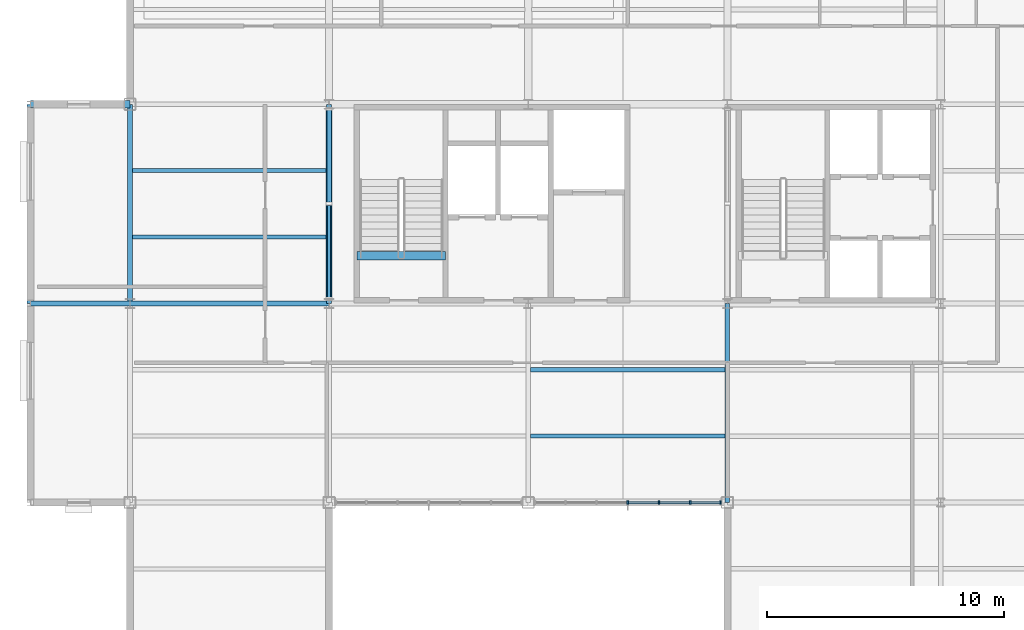
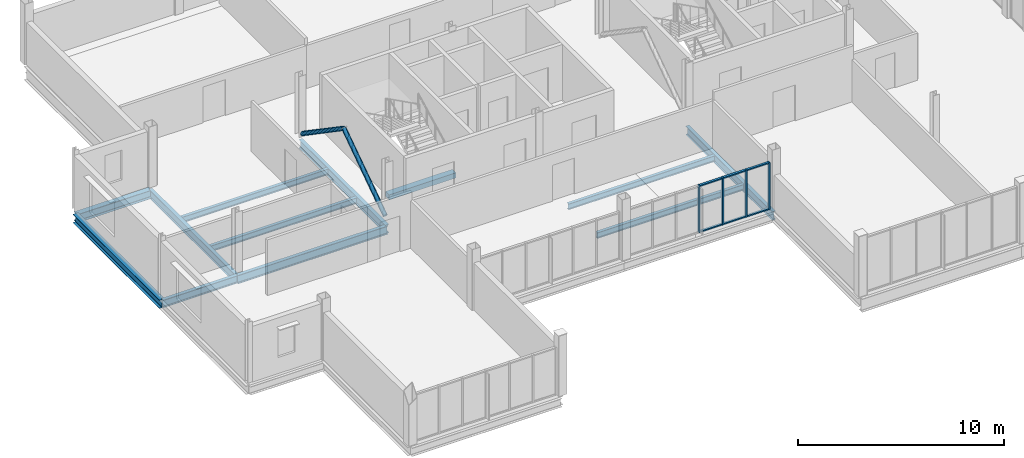
# One storey, part 6 of 19: 12 beams, 12 members, 1 element without a shape of its own.
"""IFC4 building model written with IfcOpenShell, lengths in metres."""

from ifc_helpers import new_model, si_unit, direction, frame, origin, origin_2d, place, context, subcontext, project, spatial, rectangle, hollow_circle, i_section, extrude, material, layer, layer_set, material_profile, profile_set, type_object, element, aggregate, save


model = new_model("IFC4")

# Units and contexts
model_context = context("Model", 3, precision=1e-05, world=origin(), true_north=direction((0.0, 1.0)))
body_context = subcontext(model_context, "Body", "Model", "MODEL_VIEW")
ifc_project = project(units=[si_unit("LENGTHUNIT", "METRE"), si_unit("AREAUNIT", "SQUARE_METRE"), si_unit("VOLUMEUNIT", "CUBIC_METRE"), si_unit("PLANEANGLEUNIT", "RADIAN"), si_unit("MASSUNIT", "GRAM", prefix="KILO")], contexts=[model_context])

# Site, building, storey
site_placement = place(None, origin())
site = spatial("IfcSite", under=ifc_project, at=site_placement, CompositionType="ELEMENT")
building_placement = place(site_placement, origin())
building = spatial("IfcBuilding", under=site, at=building_placement, Name="Yukiwa Park Conservatory and Herbarium", CompositionType="ELEMENT")
storey_placement = place(building_placement, frame((0.0, 0.0, 31.800048828125)))
storey = spatial("IfcBuildingStorey", under=building, at=storey_placement, Name="L08", CompositionType="ELEMENT", Elevation=31.800048828125)

# Beams
ifc_material_1 = material(Name="Steel Q355D", Category="steel")
ifc_material_profile_1 = material_profile(ifc_material_1, i_section(OverallWidth=0.198974609375, OverallDepth=0.446044921875, WebThickness=0.008056640625, FlangeThickness=0.011962890625, FilletRadius=0.01806640625, at=origin_2d()), Name="HN 446x199x8x12")
ifc_profile_set_1 = profile_set([ifc_material_profile_1], Name="Steel Q355D")
beam_type_1 = type_object("IfcBeamType", Name="BM-GRD-HN446", PredefinedType="BEAM", material=ifc_profile_set_1)
beam_1_placement = place(storey_placement, frame((120.60595703125, 94.800048828125, -0.470947265625), z_axis=(1.0, 0.0, 0.0), x_axis=(0.0, 1.0, 0.0)))
element("IfcBeam", 1, at=beam_1_placement, inside=storey, type_object=beam_type_1, Name="L08 grid beam X-10", PredefinedType="BEAM", context=body_context, shape_type="SweptSolid", body=[
    extrude(i_section(OverallWidth=0.198974609375, OverallDepth=0.446044921875, WebThickness=0.008056640625, FlangeThickness=0.011962890625, FilletRadius=0.01806640625, at=origin_2d()), origin(), (0.0, 0.0, 1.0), 4.18798828125),
])
ifc_material_2 = material(Name="Steel Q355D", Category="steel")
ifc_material_profile_2 = material_profile(ifc_material_2, i_section(OverallWidth=0.198974609375, OverallDepth=0.49609375, WebThickness=0.009033203125, FlangeThickness=0.013916015625, FilletRadius=0.02001953125, at=origin_2d()), Name="HN 496x199x9x14")
ifc_profile_set_2 = profile_set([ifc_material_profile_2], Name="Steel Q355D")
beam_type_2 = type_object("IfcBeamType", Name="BM-GRD-HN496", PredefinedType="BEAM", material=ifc_profile_set_2)
beam_2_placement = place(storey_placement, frame((124.805908203125, 94.800048828125, -0.49609375), z_axis=(1.0, 0.0, 0.0), x_axis=(0.0, 1.0, 0.0)))
element("IfcBeam", 2, at=beam_2_placement, inside=storey, type_object=beam_type_2, Name="L08 grid beam X-11", PredefinedType="BEAM", context=body_context, shape_type="SweptSolid", body=[
    extrude(i_section(OverallWidth=0.198974609375, OverallDepth=0.49609375, WebThickness=0.009033203125, FlangeThickness=0.013916015625, FilletRadius=0.02001953125, at=origin_2d()), origin(), (0.0, 0.0, 1.0), 8.38818359375),
])
ifc_material_3 = material(Name="Steel Q355D", Category="steel")
ifc_material_profile_3 = material_profile(ifc_material_3, i_section(OverallWidth=0.199951171875, OverallDepth=0.5, WebThickness=0.010009765625, FlangeThickness=0.01611328125, FilletRadius=0.02001953125, at=origin_2d()), Name="HN 500x200x10x16")
ifc_profile_set_3 = profile_set([ifc_material_profile_3], Name="Steel Q355D")
beam_type_3 = type_object("IfcBeamType", Name="BM-GRD-HN500", PredefinedType="BEAM", material=ifc_profile_set_3)
for number, where, z_axis, x_axis, name in (
    (3, (124.800048828125, 94.805908203125, -0.498046875), (0.0, 1.0, 0.0), (-1.0, 0.0, 0.0), "L08 grid girder Y-31"),
    (4, (133.199951171875, 94.805908203125, -0.498046875), (0.0, 1.0, 0.0), (-1.0, 0.0, 0.0), "L08 grid girder Y-35"),
):
    element("IfcBeam", number, at=place(storey_placement, frame(where, z_axis=z_axis, x_axis=x_axis)), inside=storey, type_object=beam_type_3, Name=name, PredefinedType="BEAM", context=body_context, shape_type="SweptSolid", body=[
        extrude(i_section(OverallWidth=0.199951171875, OverallDepth=0.5, WebThickness=0.010009765625, FlangeThickness=0.01611328125, FilletRadius=0.02001953125, at=origin_2d()), origin(), (0.0, 0.0, 1.0), 8.38818359375),
    ])
beam_3_placement = place(storey_placement, frame((150.0, 86.406005859375, -0.498046875), z_axis=(0.0, 1.0, 0.0), x_axis=(-1.0, 0.0, 0.0)))
element("IfcBeam", 5, at=beam_3_placement, inside=storey, type_object=beam_type_3, Name="L08 grid girder Y-40", PredefinedType="BEAM", context=body_context, shape_type="SweptSolid", body=[
    extrude(i_section(OverallWidth=0.199951171875, OverallDepth=0.5, WebThickness=0.010009765625, FlangeThickness=0.01611328125, FilletRadius=0.02001953125, at=origin_2d()), origin(), (0.0, 0.0, 1.0), 8.387939453125),
])
ifc_material_4 = material(Name="Steel Q355D", Category="steel")
ifc_material_profile_4 = material_profile(ifc_material_4, i_section(OverallWidth=0.174072265625, OverallDepth=0.345947265625, WebThickness=0.006103515625, FlangeThickness=0.009033203125, FilletRadius=0.013916015625, at=origin_2d()), Name="HN 346x174x6x9")
ifc_profile_set_4 = profile_set([ifc_material_profile_4], Name="Steel Q355D")
beam_type_4 = type_object("IfcBeamType", Name="BM-JST-HN346", PredefinedType="JOIST", material=ifc_profile_set_4)
for number, where, z_axis, x_axis, name in (
    (6, (124.89599609375, 97.60009765625, -0.421142578125), (1.0, 0.0, 0.0), (0.0, 1.0, 0.0), "L08 composite floor joist 5"),
    (7, (124.89599609375, 100.39990234375, -0.421142578125), (1.0, 0.0, 0.0), (0.0, 1.0, 0.0), "L08 composite floor joist 6"),
    (8, (141.696044921875, 89.199951171875, -0.421142578125), (1.0, 0.0, 0.0), (0.0, 1.0, 0.0), "L08 composite floor joist 13"),
    (9, (141.696044921875, 92.0, -0.421142578125), (1.0, 0.0, 0.0), (0.0, 1.0, 0.0), "L08 composite floor joist 14"),
):
    element("IfcBeam", number, at=place(storey_placement, frame(where, z_axis=z_axis, x_axis=x_axis)), inside=storey, type_object=beam_type_4, Name=name, PredefinedType="JOIST", context=body_context, shape_type="SweptSolid", body=[
        extrude(i_section(OverallWidth=0.174072265625, OverallDepth=0.345947265625, WebThickness=0.006103515625, FlangeThickness=0.009033203125, FilletRadius=0.013916015625, at=origin_2d()), origin(), (0.0, 0.0, 1.0), 8.2080078125),
    ])
ifc_material_5 = material(Name="Steel Q355D", Category="steel")
ifc_material_profile_5 = material_profile(ifc_material_5, i_section(OverallWidth=0.300048828125, OverallDepth=0.493896484375, WebThickness=0.010986328125, FlangeThickness=0.014892578125, FilletRadius=0.02392578125, at=origin_2d()), Name="HM 494x300x11x15")
ifc_profile_set_5 = profile_set([ifc_material_profile_5], Name="Steel Q355D")
beam_type_5 = type_object("IfcBeamType", Name="BM-SPN-HN450", PredefinedType="SPANDREL", material=ifc_profile_set_5)
beam_4_placement = place(storey_placement, frame((120.60595703125, 103.199951171875, -0.4951171875), z_axis=(1.0, 0.0, 0.0), x_axis=(0.0, 1.0, 0.0)))
element("IfcBeam", 10, at=beam_4_placement, inside=storey, type_object=beam_type_5, Name="L08 spandrel beam X-16", PredefinedType="SPANDREL", context=body_context, shape_type="SweptSolid", body=[
    extrude(i_section(OverallWidth=0.300048828125, OverallDepth=0.493896484375, WebThickness=0.010986328125, FlangeThickness=0.014892578125, FilletRadius=0.02392578125, at=origin_2d()), origin(), (0.0, 0.0, 1.0), 4.18798828125),
])
ifc_material_6 = material(Name="Steel Q355D", Category="steel")
ifc_material_profile_6 = material_profile(ifc_material_6, i_section(OverallWidth=0.300048828125, OverallDepth=0.5, WebThickness=0.010986328125, FlangeThickness=0.01806640625, FilletRadius=0.02392578125, at=origin_2d()), Name="HM 500x300x11x18")
ifc_profile_set_6 = profile_set([ifc_material_profile_6], Name="Steel Q355D")
beam_type_6 = type_object("IfcBeamType", Name="BM-SPN-HN500", PredefinedType="SPANDREL", material=ifc_profile_set_6)
beam_5_placement = place(storey_placement, frame((120.60009765625, 94.805908203125, -0.498046875), z_axis=(0.0, 1.0, 0.0), x_axis=(-1.0, 0.0, 0.0)))
element("IfcBeam", 11, at=beam_5_placement, inside=storey, type_object=beam_type_6, Name="L08 spandrel girder Y-28", PredefinedType="SPANDREL", context=body_context, shape_type="SweptSolid", body=[
    extrude(i_section(OverallWidth=0.300048828125, OverallDepth=0.5, WebThickness=0.010986328125, FlangeThickness=0.01806640625, FilletRadius=0.02392578125, at=origin_2d()), origin(), (0.0, 0.0, 1.0), 8.38818359375),
])
ifc_material_7 = material(Name="Concrete C40", Category="concrete")
ifc_material_profile_7 = material_profile(ifc_material_7, rectangle(XDim=0.35009765625, YDim=0.300048828125, at=origin_2d()), Name="RC 350x300")
ifc_profile_set_7 = profile_set([ifc_material_profile_7], Name="Concrete C40")
beam_type_7 = type_object("IfcBeamType", Name="BM-STAIR-TRIM", PredefinedType="BEAM", material=ifc_profile_set_7)
beam_6_placement = place(storey_placement, frame((134.3701171875, 96.81005859375, -0.150146484375), z_axis=(1.0, 0.0, 0.0), x_axis=(0.0, 1.0, 0.0)))
element("IfcBeam", 12, at=beam_6_placement, inside=storey, type_object=beam_type_7, Name="Stair ST-T1 L08 landing trimmer beam", PredefinedType="BEAM", context=body_context, shape_type="SweptSolid", body=[
    extrude(rectangle(XDim=0.35009765625, YDim=0.300048828125, at=origin_2d()), origin(), (0.0, 0.0, 1.0), 3.75),
])

# Members
ifc_material_8 = material(Name="Steel Q355D", Category="steel")
ifc_material_profile_8 = material_profile(ifc_material_8, hollow_circle(Radius=0.122314453125, WallThickness=0.010009765625, at=origin_2d()), Name="CHS 244.5x10")
ifc_profile_set_8 = profile_set([ifc_material_profile_8], Name="Steel Q355D")
member_type_1 = type_object("IfcMemberType", Name="MB-BR-CHS245", PredefinedType="BRACE", material=ifc_profile_set_8)
for number, where, z_axis, x_axis, name in (
    (13, (133.199951171875, 94.995361328125, 0.18310546875), (0.0, 0.825614551, 0.564234537384), (-1.0, 0.0, 0.0), "L08 concentric chevron brace 45"),
    (14, (133.199951171875, 103.004638671875, 0.18310546875), (0.0, -0.825614551, 0.564234537384), (1.0, 0.0, 0.0), "L08 concentric chevron brace 46"),
):
    element("IfcMember", number, at=place(storey_placement, frame(where, z_axis=z_axis, x_axis=x_axis)), inside=storey, type_object=member_type_1, Name=name, PredefinedType="BRACE", context=body_context, shape_type="SweptSolid", body=[
        extrude(hollow_circle(Radius=0.122314453125, WallThickness=0.010009765625, at=origin_2d()), origin(), (0.0, 0.0, 1.0), 4.8505859375),
    ])

# Curtain wall, members
ifc_material_9 = material(Name="Triple Low-E Insulated Glass", Category="glass")
ifc_layer = layer(ifc_material_9, 0.248046875)
ifc_layer_set = layer_set([ifc_layer], Name="Triple Low-E Insulated Glass")
curtain_wall_type = type_object("IfcCurtainWallType", Name="CW-TOWER-LAB-S-1400", PredefinedType="NOTDEFINED", material=ifc_layer_set)
curtain_wall_placement = place(storey_placement, origin())
curtain_wall = element("IfcCurtainWall", 15, at=curtain_wall_placement, inside=storey, type_object=curtain_wall_type, Name="L08 unitised curtain wall CW-L08-095", PredefinedType="NOTDEFINED")
ifc_material_10 = material(Name="Anodised Aluminium", Category="aluminium")
member_type_2 = type_object("IfcMemberType", Name="MB-CW-MUL-70X150", PredefinedType="MULLION", material=ifc_material_10)
member_1_placement = place(storey_placement, frame((145.800048828125, 86.39990234375, 0.0), z_axis=(0.0, 0.0, 1.0), x_axis=(1.0, 0.0, 0.0)))
member_1 = element("IfcMember", 16, at=member_1_placement, type_object=member_type_2, Name="CW-L08-095 mullion 4", PredefinedType="MULLION", context=body_context, shape_type="SweptSolid", body=[
    extrude(rectangle(XDim=0.070068359375, YDim=0.14990234375, at=origin_2d()), origin(), (0.0, 0.0, 1.0), 2.794921875),
])
member_2_placement = place(storey_placement, frame((147.11669921875, 86.39990234375, 0.0), z_axis=(0.0, 0.0, 1.0), x_axis=(1.0, 0.0, 0.0)))
member_2 = element("IfcMember", 17, at=member_2_placement, type_object=member_type_2, Name="CW-L08-095 mullion 5", PredefinedType="MULLION", context=body_context, shape_type="SweptSolid", body=[
    extrude(rectangle(XDim=0.070068359375, YDim=0.14990234375, at=origin_2d()), origin(), (0.0, 0.0, 1.0), 2.794921875),
])
member_3_placement = place(storey_placement, frame((148.433349609375, 86.39990234375, 0.0), z_axis=(0.0, 0.0, 1.0), x_axis=(1.0, 0.0, 0.0)))
member_3 = element("IfcMember", 18, at=member_3_placement, type_object=member_type_2, Name="CW-L08-095 mullion 6", PredefinedType="MULLION", context=body_context, shape_type="SweptSolid", body=[
    extrude(rectangle(XDim=0.070068359375, YDim=0.14990234375, at=origin_2d()), origin(), (0.0, 0.0, 1.0), 2.794921875),
])
member_4_placement = place(storey_placement, frame((149.715087890625, 86.39990234375, 0.0), z_axis=(0.0, 0.0, 1.0), x_axis=(1.0, 0.0, 0.0)))
member_4 = element("IfcMember", 19, at=member_4_placement, type_object=member_type_2, Name="CW-L08-095 mullion 7", PredefinedType="MULLION", context=body_context, shape_type="SweptSolid", body=[
    extrude(rectangle(XDim=0.070068359375, YDim=0.14990234375, at=origin_2d()), origin(), (0.0, 0.0, 1.0), 2.794921875),
])
ifc_material_11 = material(Name="Anodised Aluminium", Category="aluminium")
member_type_3 = type_object("IfcMemberType", Name="MB-CW-TRN-70X130", PredefinedType="USERDEFINED", material=ifc_material_11)
member_5_placement = place(storey_placement, frame((146.458251953125, 86.39990234375, 0.0), z_axis=(0.0, 0.0, 1.0), x_axis=(1.0, 0.0, 0.0)))
member_5 = element("IfcMember", 20, at=member_5_placement, type_object=member_type_3, Name="CW-L08-095 transom 4.1", ObjectType="TRANSOM", PredefinedType="USERDEFINED", context=body_context, shape_type="SweptSolid", body=[
    extrude(rectangle(XDim=1.24658203125, YDim=0.1298828125, at=origin_2d()), origin(), (0.0, 0.0, 1.0), 0.070068359375),
])
member_6_placement = place(storey_placement, frame((146.458251953125, 86.39990234375, 2.72509765625), z_axis=(0.0, 0.0, 1.0), x_axis=(1.0, 0.0, 0.0)))
member_6 = element("IfcMember", 21, at=member_6_placement, type_object=member_type_3, Name="CW-L08-095 transom 4.2", ObjectType="TRANSOM", PredefinedType="USERDEFINED", context=body_context, shape_type="SweptSolid", body=[
    extrude(rectangle(XDim=1.24658203125, YDim=0.1298828125, at=origin_2d()), origin(), (0.0, 0.0, 1.0), 0.070068359375),
])
member_7_placement = place(storey_placement, frame((147.77490234375, 86.39990234375, 0.0), z_axis=(0.0, 0.0, 1.0), x_axis=(1.0, 0.0, 0.0)))
member_7 = element("IfcMember", 22, at=member_7_placement, type_object=member_type_3, Name="CW-L08-095 transom 5.1", ObjectType="TRANSOM", PredefinedType="USERDEFINED", context=body_context, shape_type="SweptSolid", body=[
    extrude(rectangle(XDim=1.24658203125, YDim=0.1298828125, at=origin_2d()), origin(), (0.0, 0.0, 1.0), 0.070068359375),
])
member_8_placement = place(storey_placement, frame((147.77490234375, 86.39990234375, 2.72509765625), z_axis=(0.0, 0.0, 1.0), x_axis=(1.0, 0.0, 0.0)))
member_8 = element("IfcMember", 23, at=member_8_placement, type_object=member_type_3, Name="CW-L08-095 transom 5.2", ObjectType="TRANSOM", PredefinedType="USERDEFINED", context=body_context, shape_type="SweptSolid", body=[
    extrude(rectangle(XDim=1.24658203125, YDim=0.1298828125, at=origin_2d()), origin(), (0.0, 0.0, 1.0), 0.070068359375),
])
member_9_placement = place(storey_placement, frame((149.091796875, 86.39990234375, 0.0), z_axis=(0.0, 0.0, 1.0), x_axis=(1.0, 0.0, 0.0)))
member_9 = element("IfcMember", 24, at=member_9_placement, type_object=member_type_3, Name="CW-L08-095 transom 6.1", ObjectType="TRANSOM", PredefinedType="USERDEFINED", context=body_context, shape_type="SweptSolid", body=[
    extrude(rectangle(XDim=1.24658203125, YDim=0.1298828125, at=origin_2d()), origin(), (0.0, 0.0, 1.0), 0.070068359375),
])
member_10_placement = place(storey_placement, frame((149.091796875, 86.39990234375, 2.72509765625), z_axis=(0.0, 0.0, 1.0), x_axis=(1.0, 0.0, 0.0)))
member_10 = element("IfcMember", 25, at=member_10_placement, type_object=member_type_3, Name="CW-L08-095 transom 6.2", ObjectType="TRANSOM", PredefinedType="USERDEFINED", context=body_context, shape_type="SweptSolid", body=[
    extrude(rectangle(XDim=1.24658203125, YDim=0.1298828125, at=origin_2d()), origin(), (0.0, 0.0, 1.0), 0.070068359375),
])
aggregate(curtain_wall, [member_1, member_2, member_3, member_4, member_5, member_6, member_7, member_8, member_9, member_10])

save(model, "model.ifc")
